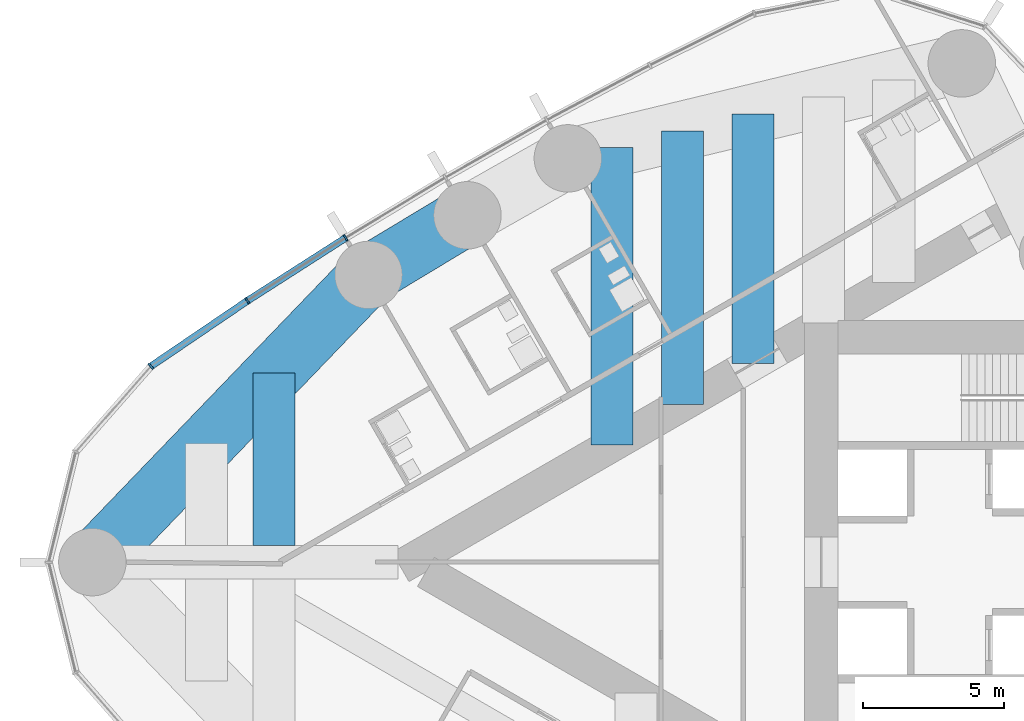
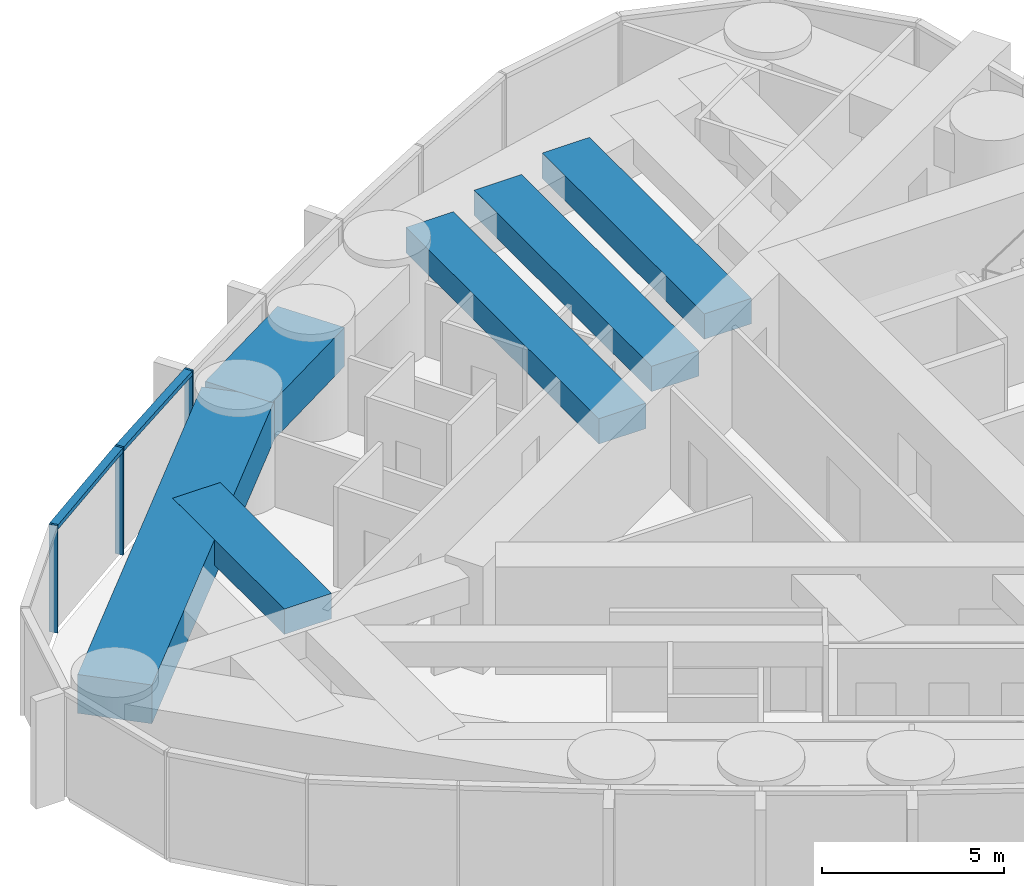
# One storey, part 4 of 23: 6 beams, 5 members, 1 element without a shape of its own.
"""IFC4 building model written with IfcOpenShell, lengths in metres."""

import ifcopenshell
import ifcopenshell.guid

model = None  # the IFC model being written
_history = None  # IfcOwnerHistory: only IFC2X3 demands one
_inside = {}  # id of a spatial element -> (the spatial element, [elements in it])
_under = {}  # id of a project, library or spatial element -> (it, [spatial elements below it])
_declared = {}  # id of a project -> (the project, [libraries it declares])
_typed = {}  # id of a type object -> (the type object, [elements of that type])
_made_of = {}  # id of a material, layer set ... -> (it, [elements and type objects made of it])


def new_model(schema):
    """Start an empty IFC model of exactly this schema.

    Asked for "IFC4X3", IfcOpenShell would pick the latest addendum, in which some entities
    have other attributes; the version numbers below select the first issue.
    IFC2X3 requires an IfcOwnerHistory on every rooted entity: one is made here for all.
    """
    global model, _history
    if schema == "IFC4X3":
        model = ifcopenshell.file(schema_version=(4, 3, 0, 0))
    else:
        model = ifcopenshell.file(schema=schema)
    _inside.clear()
    _under.clear()
    _declared.clear()
    _typed.clear()
    _made_of.clear()
    _history = None
    if model.schema == "IFC2X3":
        org = make("IfcOrganization", Name="unknown")
        user = make(
            "IfcPersonAndOrganization",
            ThePerson=make("IfcPerson", FamilyName="unknown"),
            TheOrganization=org,
        )
        app = make(
            "IfcApplication",
            ApplicationDeveloper=org,
            Version="unknown",
            ApplicationFullName="unknown",
            ApplicationIdentifier="unknown",
        )
        _history = make(
            "IfcOwnerHistory",
            OwningUser=user,
            OwningApplication=app,
            ChangeAction="ADDED",
            CreationDate=0,
        )
    return model


def make(cls, **values):
    """One entity of the class cls with the attributes given. An attribute that is None is left unset."""
    return model.create_entity(
        cls, **{name: value for name, value in values.items() if value is not None}
    )


def rooted(cls, **values):
    """An entity with a GlobalId (a new one), such as an element, a storey or a relation."""
    return make(cls, GlobalId=ifcopenshell.guid.new(), OwnerHistory=_history, **values)


def si_unit(unit_type, name, prefix=None):
    """IfcSIUnit, for example si_unit("LENGTHUNIT", "METRE", prefix="MILLI")."""
    return make("IfcSIUnit", UnitType=unit_type, Prefix=prefix, Name=name)


def assignment(units):
    """IfcUnitAssignment: the units of a project."""
    return None if units is None else make("IfcUnitAssignment", Units=units)


def point(xyz):
    """IfcCartesianPoint."""
    return None if xyz is None else make("IfcCartesianPoint", Coordinates=xyz)


def direction(xyz):
    """IfcDirection."""
    return None if xyz is None else make("IfcDirection", DirectionRatios=xyz)


def frame(location, z_axis=None, x_axis=None):
    """IfcAxis2Placement3D, a coordinate frame: its origin and axes. An axis left out is left unset."""
    return make(
        "IfcAxis2Placement3D",
        Location=point(location),
        Axis=direction(z_axis),
        RefDirection=direction(x_axis),
    )


def frame_2d(location, x_axis=None):
    """IfcAxis2Placement2D, a coordinate frame in the plane: its origin and x axis."""
    return make(
        "IfcAxis2Placement2D", Location=point(location), RefDirection=direction(x_axis)
    )


def origin():
    """The frame at (0, 0, 0) with its axes left unset."""
    return frame((0.0, 0.0, 0.0))


def origin_2d():
    """The frame at (0, 0) in the plane with its x axis left unset."""
    return frame_2d((0.0, 0.0))


def place(relative_to, where):
    """IfcLocalPlacement: puts the frame where relative to a parent placement (None: the world)."""
    return make(
        "IfcLocalPlacement", PlacementRelTo=relative_to, RelativePlacement=where
    )


def context(
    kind, dimensions, precision=None, world=None, true_north=None, identifier=None
):
    """IfcGeometricRepresentationContext, for example the 3D "Model" context."""
    return make(
        "IfcGeometricRepresentationContext",
        ContextIdentifier=identifier,
        ContextType=kind,
        CoordinateSpaceDimension=dimensions,
        Precision=precision,
        WorldCoordinateSystem=world,
        TrueNorth=true_north,
    )


def subcontext(parent, identifier, kind, view, scale=None):
    """IfcGeometricRepresentationSubContext, for example "Body" below "Model"."""
    return make(
        "IfcGeometricRepresentationSubContext",
        ContextIdentifier=identifier,
        ContextType=kind,
        ParentContext=parent,
        TargetScale=scale,
        TargetView=view,
    )


def project(units=None, contexts=None):
    """IfcProject with its units and contexts."""
    return rooted(
        "IfcProject",
        Name="project",
        RepresentationContexts=contexts,
        UnitsInContext=assignment(units),
    )


def spatial(cls, under=None, at=None, **own):
    """A site, building, storey or space (cls), placed at a placement, below another one or the project."""
    s = rooted(cls, ObjectPlacement=at, **own)
    if under is not None:
        _under.setdefault(under.id(), (under, []))[1].append(s)
    return s


def profile(cls, at=None, kind="AREA", **sizes):
    """A parametric profile (cls). Its sizes go by their IFC names, for example OverallWidth=200.0."""
    return make(cls, ProfileType=kind, Position=at, **sizes)


def rectangle(**sizes):
    """IfcRectangleProfileDef."""
    return profile("IfcRectangleProfileDef", **sizes)


def extrude(swept, where, along, depth):
    """IfcExtrudedAreaSolid: the profile swept, set in the frame where, extruded along a direction by depth."""
    return make(
        "IfcExtrudedAreaSolid",
        SweptArea=swept,
        Position=where,
        ExtrudedDirection=direction(along),
        Depth=depth,
    )


def shape(context_of_items, identifier, shape_type, items):
    """IfcShapeRepresentation: the items that make up one representation, for example the "Body"."""
    return make(
        "IfcShapeRepresentation",
        ContextOfItems=context_of_items,
        RepresentationIdentifier=identifier,
        RepresentationType=shape_type,
        Items=items,
    )


def material(Name=None, Category=None):
    """IfcMaterial."""
    return make("IfcMaterial", Name=Name, Category=Category)


def material_profile(
    of_material, cross_section, Name=None, Category=None, Priority=None
):
    """IfcMaterialProfile: a cross section and its material."""
    return make(
        "IfcMaterialProfile",
        Name=Name,
        Material=of_material,
        Profile=cross_section,
        Priority=Priority,
        Category=Category,
    )


def profile_set(profiles, Name=None, composite=None):
    """IfcMaterialProfileSet."""
    return make(
        "IfcMaterialProfileSet",
        Name=Name,
        MaterialProfiles=profiles,
        CompositeProfile=composite,
    )


def made_of(thing, what):
    """Note that an element or type object is made of a material, layer set ...; save() writes the relation."""
    if what is not None:
        _made_of.setdefault(what.id(), (what, []))[1].append(thing)
    return thing


def type_object(cls, material=None, **own):
    """A type object (cls), such as IfcWallType, which elements share."""
    return made_of(rooted(cls, **own), material)


def element(
    cls,
    number,
    at=None,
    inside=None,
    cuts=None,
    type_object=None,
    material=None,
    context=None,
    identifier="Body",
    shape_type=None,
    held_by="IfcProductDefinitionShape",
    body=None,
    shapes=None,
    **own,
):
    """One element of the class cls, such as IfcWall. Its Tag is "e" and its number.

    at: its placement. inside: the storey or other place that contains it. cuts: it is an
    opening in that element (IfcRelVoidsElement). A single representation is given by context,
    identifier, shape_type and body (its items); several are given by shapes. held_by: the class
    of the entity that holds the representations. save() writes the other relations.
    """
    e = rooted(cls, Tag="e%d" % number, ObjectPlacement=at, **own)
    if body is not None:
        shapes = [shape(context, identifier, shape_type, body)]
    if shapes is not None:
        e.Representation = make(held_by, Representations=shapes)
    if inside is not None:
        _inside.setdefault(inside.id(), (inside, []))[1].append(e)
    if cuts is not None:
        rooted(
            "IfcRelVoidsElement", RelatingBuildingElement=cuts, RelatedOpeningElement=e
        )
    if type_object is not None:
        _typed.setdefault(type_object.id(), (type_object, []))[1].append(e)
    return made_of(e, material)


def aggregate(whole, parts):
    """IfcRelAggregates: a whole, such as a stair, and the parts it consists of."""
    return rooted("IfcRelAggregates", RelatingObject=whole, RelatedObjects=parts)


def save(model, path):
    """Write the relations noted so far, then the file.

    IfcRelAggregates (storeys below a building ...), IfcRelContainedInSpatialStructure (elements
    in a storey), IfcRelDefinesByType, IfcRelAssociatesMaterial and IfcRelDeclares: one each for
    every whole, place, type object, material and project.
    """
    for whole, parts in _under.values():
        aggregate(whole, parts)
    for where, things in _inside.values():
        rooted(
            "IfcRelContainedInSpatialStructure",
            RelatedElements=things,
            RelatingStructure=where,
        )
    for kind, things in _typed.values():
        rooted("IfcRelDefinesByType", RelatedObjects=things, RelatingType=kind)
    for what, things in _made_of.values():
        rooted("IfcRelAssociatesMaterial", RelatedObjects=things, RelatingMaterial=what)
    for by, libraries in _declared.values():
        rooted("IfcRelDeclares", RelatingContext=by, RelatedDefinitions=libraries)
    model.write(path)


model = new_model("IFC4")

# Units and contexts
model_context = context("Model", 3, precision=1e-05, world=origin(), true_north=direction((0.0, 1.0)))
body_context = subcontext(model_context, "Body", "Model", "MODEL_VIEW")
ifc_project = project(units=[si_unit("LENGTHUNIT", "METRE"), si_unit("AREAUNIT", "SQUARE_METRE"), si_unit("VOLUMEUNIT", "CUBIC_METRE"), si_unit("PLANEANGLEUNIT", "RADIAN"), si_unit("MASSUNIT", "GRAM", prefix="KILO")], contexts=[model_context])

# Site, building, storey
site_placement = place(None, origin())
site = spatial("IfcSite", under=ifc_project, at=site_placement, CompositionType="ELEMENT")
building_placement = place(site_placement, origin())
building = spatial("IfcBuilding", under=site, at=building_placement, Name="Lancet Gate Hotel", CompositionType="ELEMENT")
storey_placement = place(building_placement, frame((0.0, 0.0, 240.5)))
storey = spatial("IfcBuildingStorey", under=building, at=storey_placement, Name="L64", CompositionType="ELEMENT", Elevation=240.5)

# Curtain wall, members
ifc_material_1 = material(Name="Aluminium curtain wall", Category="aluminium")
curtain_wall_type = type_object("IfcCurtainWallType", Name="Tower unitised curtain wall", PredefinedType="USERDEFINED", material=ifc_material_1)
curtain_wall_placement = place(storey_placement, origin())
curtain_wall = element("IfcCurtainWall", 1, at=curtain_wall_placement, inside=storey, type_object=curtain_wall_type, Name="T1 L64 curtain wall 1", ObjectType="UNITISED CURTAIN WALL", PredefinedType="USERDEFINED")
ifc_material_2 = material(Name="Aluminium mullion", Category="aluminium")
ifc_material_profile_1 = material_profile(ifc_material_2, rectangle(XDim=0.06494140625, YDim=0.25, at=origin_2d()), Name="MULLION 65x250")
ifc_profile_set_1 = profile_set([ifc_material_profile_1], Name="Aluminium mullion")
member_type_1 = type_object("IfcMemberType", Name="Aluminium mullion 65x250", PredefinedType="MULLION", material=ifc_profile_set_1)
member_1_placement = place(storey_placement, frame((-54.225830078125, 11.535400390625, 0.0), z_axis=(0.0, 0.0, 1.0), x_axis=(-0.849342388216, -0.527842313176, 0.0)))
member_1 = element("IfcMember", 2, at=member_1_placement, type_object=member_type_1, Name="T1 L64 curtain wall 1 mullion 9", PredefinedType="MULLION", context=body_context, shape_type="SweptSolid", body=[
    extrude(rectangle(XDim=0.06494140625, YDim=0.25, at=origin_2d()), origin(), (0.0, 0.0, 1.0), 3.60009765625),
])
member_2_placement = place(storey_placement, frame((-57.72021484375, 9.298095703125, 0.0), z_axis=(0.0, 0.0, 1.0), x_axis=(-0.834827178542, -0.550512108829, 0.0)))
member_2 = element("IfcMember", 3, at=member_2_placement, type_object=member_type_1, Name="T1 L64 curtain wall 1 mullion 10", PredefinedType="MULLION", context=body_context, shape_type="SweptSolid", body=[
    extrude(rectangle(XDim=0.06494140625, YDim=0.25, at=origin_2d()), origin(), (0.0, 0.0, 1.0), 3.60009765625),
])
member_3_placement = place(storey_placement, frame((-61.15283203125, 6.967529296875, 0.0), z_axis=(0.0, 0.0, 1.0), x_axis=(-0.750715604757, -0.660625522345, 0.0)))
member_3 = element("IfcMember", 4, at=member_3_placement, type_object=member_type_1, Name="T1 L64 curtain wall 1 mullion 11", PredefinedType="MULLION", context=body_context, shape_type="SweptSolid", body=[
    extrude(rectangle(XDim=0.06494140625, YDim=0.25, at=origin_2d()), origin(), (0.0, 0.0, 1.0), 3.60009765625),
])
ifc_material_3 = material(Name="Aluminium transom", Category="aluminium")
ifc_material_profile_2 = material_profile(ifc_material_3, rectangle(XDim=0.25, YDim=0.14990234375, at=origin_2d()), Name="TRANSOM 250x150")
ifc_profile_set_2 = profile_set([ifc_material_profile_2], Name="Aluminium transom")
member_type_2 = type_object("IfcMemberType", Name="Aluminium transom 250x150", PredefinedType="USERDEFINED", material=ifc_profile_set_2)
member_4_placement = place(storey_placement, frame((-54.253173828125, 11.51806640625, 3.52490234375), z_axis=(-0.842144358733, -0.539252147937, 0.0), x_axis=(0.539252147937, -0.842144358733, 0.0)))
member_4 = element("IfcMember", 5, at=member_4_placement, type_object=member_type_2, Name="T1 L64 curtain wall 1 transom 9", ObjectType="TRANSOM", PredefinedType="USERDEFINED", context=body_context, shape_type="SweptSolid", body=[
    extrude(rectangle(XDim=0.25, YDim=0.14990234375, at=origin_2d()), origin(), (0.0, 0.0, 1.0), 4.084228515625),
])
member_5_placement = place(storey_placement, frame((-57.7470703125, 9.27978515625, 3.52490234375), z_axis=(-0.827348780456, -0.561688521761, 0.0), x_axis=(0.561688521761, -0.827348780456, 0.0)))
member_5 = element("IfcMember", 6, at=member_5_placement, type_object=member_type_2, Name="T1 L64 curtain wall 1 transom 10", ObjectType="TRANSOM", PredefinedType="USERDEFINED", context=body_context, shape_type="SweptSolid", body=[
    extrude(rectangle(XDim=0.25, YDim=0.14990234375, at=origin_2d()), origin(), (0.0, 0.0, 1.0), 4.083984375),
])
aggregate(curtain_wall, [member_1, member_2, member_3, member_4, member_5])

# Beams
ifc_material_4 = material(Name="Concrete C50/60", Category="concrete")
ifc_material_profile_3 = material_profile(ifc_material_4, rectangle(XDim=2.10009765625, YDim=1.300048828125, at=origin_2d()), Name="RC 2100x1300")
ifc_profile_set_3 = profile_set([ifc_material_profile_3], Name="Concrete C50/60")
beam_type_1 = type_object("IfcBeamType", Name="Edge beam RC 2100x1300", PredefinedType="SPANDREL", material=ifc_profile_set_3)
beam_1_placement = place(storey_placement, frame((-49.89013671875, 12.340087890625, 2.699951171875), z_axis=(-0.856358061538, -0.516382484636, 0.0), x_axis=(0.516382484636, -0.856358061538, 0.0)))
element("IfcBeam", 7, at=beam_1_placement, inside=storey, type_object=beam_type_1, Name="T1 edge beam EB1 L64", PredefinedType="SPANDREL", context=body_context, shape_type="SweptSolid", body=[
    extrude(rectangle(XDim=2.10009765625, YDim=1.300048828125, at=origin_2d()), origin(), (0.0, 0.0, 1.0), 4.107666015625),
])
beam_2_placement = place(storey_placement, frame((-53.40771484375, 10.218994140625, 2.699951171875), z_axis=(-0.693134527053, -0.720808245934, 0.0), x_axis=(0.720808245934, -0.693134527053, 0.0)))
element("IfcBeam", 8, at=beam_2_placement, inside=storey, type_object=beam_type_1, Name="T1 edge beam EB1 L64", PredefinedType="SPANDREL", context=body_context, shape_type="SweptSolid", body=[
    extrude(rectangle(XDim=2.10009765625, YDim=1.300048828125, at=origin_2d()), origin(), (0.0, 0.0, 1.0), 14.17724609375),
])
ifc_material_5 = material(Name="Concrete C50/60", Category="concrete")
ifc_material_profile_4 = material_profile(ifc_material_5, rectangle(XDim=1.5, YDim=0.85009765625, at=origin_2d()), Name="RC 1500x850")
ifc_profile_set_4 = profile_set([ifc_material_profile_4], Name="Concrete C50/60")
beam_type_2 = type_object("IfcBeamType", Name="Floor beam RC 1500x850", PredefinedType="BEAM", material=ifc_profile_set_4)
beam_3_placement = place(storey_placement, frame((-39.734130859375, 15.952880859375, 2.925048828125), z_axis=(0.0, -1.0, 0.0), x_axis=(1.0, 0.0, 0.0)))
element("IfcBeam", 9, at=beam_3_placement, inside=storey, type_object=beam_type_2, Name="T1 floor beam F05S L64", PredefinedType="BEAM", context=body_context, shape_type="SweptSolid", body=[
    extrude(rectangle(XDim=1.5, YDim=0.85009765625, at=origin_2d()), origin(), (0.0, 0.0, 1.0), 8.889404296875),
])
beam_4_placement = place(storey_placement, frame((-42.240966796875, 15.348388671875, 2.925048828125), z_axis=(0.0, -1.0, 0.0), x_axis=(1.0, 0.0, 0.0)))
element("IfcBeam", 10, at=beam_4_placement, inside=storey, type_object=beam_type_2, Name="T1 floor beam F06S L64", PredefinedType="BEAM", context=body_context, shape_type="SweptSolid", body=[
    extrude(rectangle(XDim=1.5, YDim=0.85009765625, at=origin_2d()), origin(), (0.0, 0.0, 1.0), 9.732421875),
])
beam_5_placement = place(storey_placement, frame((-44.747802734375, 14.743896484375, 2.925048828125), z_axis=(0.0, -1.0, 0.0), x_axis=(1.0, 0.0, 0.0)))
element("IfcBeam", 11, at=beam_5_placement, inside=storey, type_object=beam_type_2, Name="T1 floor beam F08S L64", PredefinedType="BEAM", context=body_context, shape_type="SweptSolid", body=[
    extrude(rectangle(XDim=1.5, YDim=0.85009765625, at=origin_2d()), origin(), (0.0, 0.0, 1.0), 10.5751953125),
])
beam_6_placement = place(storey_placement, frame((-56.768310546875, 6.72412109375, 2.925048828125), z_axis=(0.0, -1.0, 0.0), x_axis=(1.0, 0.0, 0.0)))
element("IfcBeam", 12, at=beam_6_placement, inside=storey, type_object=beam_type_2, Name="T1 floor beam F09S L64", PredefinedType="BEAM", context=body_context, shape_type="SweptSolid", body=[
    extrude(rectangle(XDim=1.5, YDim=0.85009765625, at=origin_2d()), origin(), (0.0, 0.0, 1.0), 6.1240234375),
])

save(model, "model.ifc")
